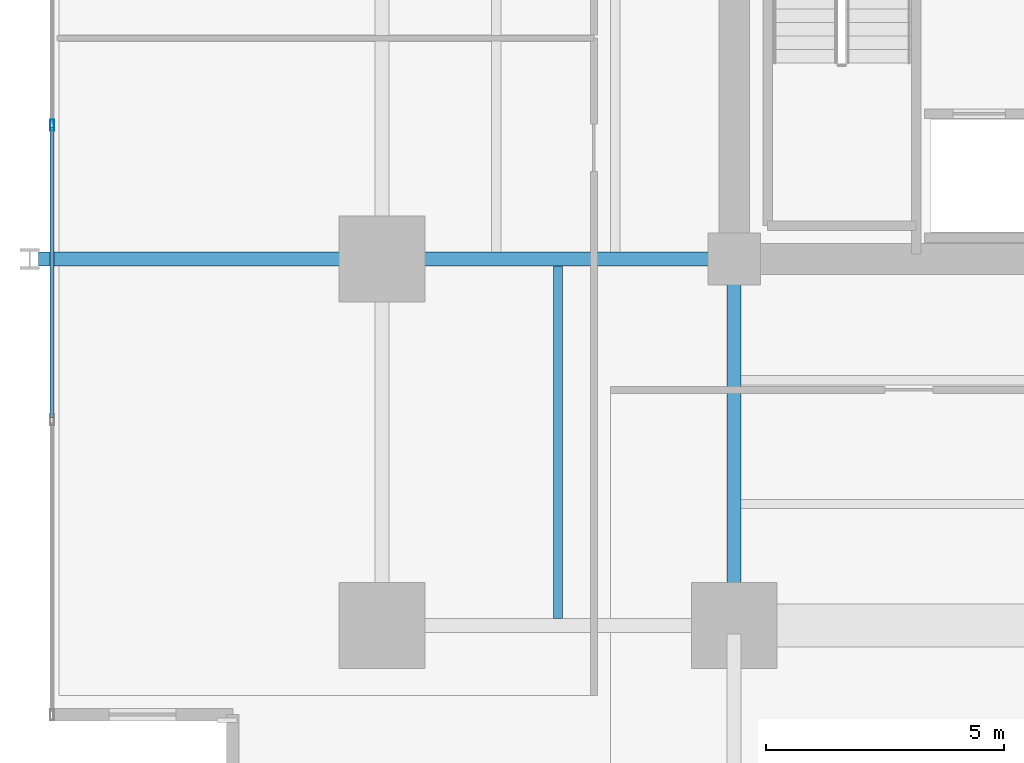
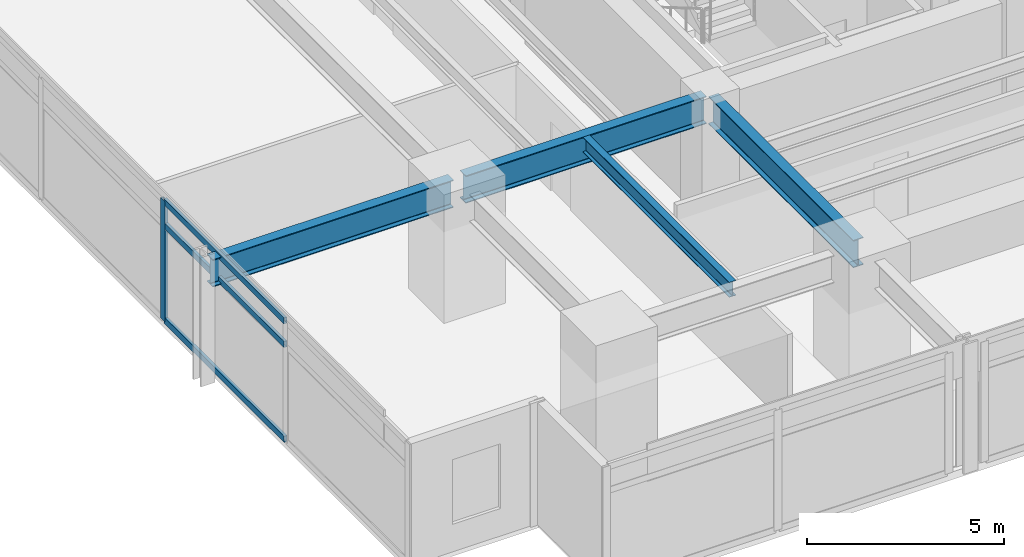
# One storey, part 3 of 22: 4 beams, 4 members, 1 element without a shape of its own.
"""IFC4 building model written with IfcOpenShell, lengths in metres."""

from ifc_helpers import new_model, si_unit, direction, frame, origin, origin_2d, place, context, subcontext, project, spatial, hollow_rectangle, i_section, extrude, material, material_profile, profile_set, type_object, element, aggregate, save


model = new_model("IFC4")

# Units and contexts
model_context = context("Model", 3, precision=1e-05, world=origin(), true_north=direction((0.0, 1.0)))
body_context = subcontext(model_context, "Body", "Model", "MODEL_VIEW")
ifc_project = project(units=[si_unit("LENGTHUNIT", "METRE"), si_unit("AREAUNIT", "SQUARE_METRE"), si_unit("VOLUMEUNIT", "CUBIC_METRE"), si_unit("PLANEANGLEUNIT", "RADIAN"), si_unit("MASSUNIT", "GRAM", prefix="KILO")], contexts=[model_context])

# Site, building, storey
site_placement = place(None, origin())
site = spatial("IfcSite", under=ifc_project, at=site_placement, CompositionType="ELEMENT")
building_placement = place(site_placement, origin())
building = spatial("IfcBuilding", under=site, at=building_placement, Name="Kovane Verandah Tower", CompositionType="ELEMENT")
storey_placement = place(building_placement, frame((0.0, 0.0, 43.60009765625)))
storey = spatial("IfcBuildingStorey", under=building, at=storey_placement, Name="L09", CompositionType="ELEMENT", Elevation=43.60009765625)

# Beams
ifc_material_1 = material(Name="Steel S355", Category="steel")
ifc_material_profile_1 = material_profile(ifc_material_1, i_section(OverallWidth=0.293701171875, OverallDepth=0.850830078125, WebThickness=0.01611328125, FlangeThickness=0.02685546875, FilletRadius=0.017822265625, at=origin_2d()), Name="UB838x292x226")
ifc_profile_set_1 = profile_set([ifc_material_profile_1], Name="Steel S355")
beam_type_1 = type_object("IfcBeamType", Name="BM-UB838x226", PredefinedType="BEAM", material=ifc_profile_set_1)
beam_1_placement = place(storey_placement, frame((28.820068359375, 18.5, 3.33447265625), z_axis=(-1.0, 0.0, 0.0), x_axis=(0.0, -1.0, 0.0)))
element("IfcBeam", 1, at=beam_1_placement, inside=storey, type_object=beam_type_1, Name="L09 Primary Tower Girder G-W1", PredefinedType="BEAM", context=body_context, shape_type="SweptSolid", body=[
    extrude(i_section(OverallWidth=0.293701171875, OverallDepth=0.850830078125, WebThickness=0.01611328125, FlangeThickness=0.02685546875, FilletRadius=0.017822265625, at=origin_2d()), origin(), (0.0, 0.0, 1.0), 7.0400390625),
])
beam_2_placement = place(storey_placement, frame((29.0, 18.320068359375, 3.33447265625), z_axis=(0.0, -1.0, 0.0), x_axis=(1.0, 0.0, 0.0)))
element("IfcBeam", 2, at=beam_2_placement, inside=storey, type_object=beam_type_1, Name="L09 Primary Tower Girder G-S1", PredefinedType="BEAM", context=body_context, shape_type="SweptSolid", body=[
    extrude(i_section(OverallWidth=0.293701171875, OverallDepth=0.850830078125, WebThickness=0.01611328125, FlangeThickness=0.02685546875, FilletRadius=0.017822265625, at=origin_2d()), origin(), (0.0, 0.0, 1.0), 7.340087890625),
])
beam_3_placement = place(storey_placement, frame((21.419921875, 18.5, 3.33447265625), z_axis=(-1.0, 0.0, 0.0), x_axis=(0.0, -1.0, 0.0)))
element("IfcBeam", 3, at=beam_3_placement, inside=storey, type_object=beam_type_1, Name="L09 Primary Tower Girder G-VW1", PredefinedType="BEAM", context=body_context, shape_type="SweptSolid", body=[
    extrude(i_section(OverallWidth=0.293701171875, OverallDepth=0.850830078125, WebThickness=0.01611328125, FlangeThickness=0.02685546875, FilletRadius=0.017822265625, at=origin_2d()), origin(), (0.0, 0.0, 1.0), 7.0400390625),
])

# Curtain wall, members
ifc_material_2 = material(Name="Champagne Anodised Aluminium Frame with Low-E Clear Laminated Glass", Category="aluminium")
curtain_wall_type = type_object("IfcCurtainWallType", Name="CW-SYS-02-LOW", PredefinedType="NOTDEFINED", material=ifc_material_2)
curtain_wall_placement = place(storey_placement, origin())
curtain_wall = element("IfcCurtainWall", 4, at=curtain_wall_placement, inside=storey, type_object=curtain_wall_type, Name="L09 W Unitised Curtain Wall", PredefinedType="NOTDEFINED")
ifc_material_3 = material(Name="Champagne Anodised Aluminium 6063-T6", Category="aluminium")
ifc_material_profile_2 = material_profile(ifc_material_3, hollow_rectangle(XDim=0.0849609375, YDim=0.22998046875, WallThickness=0.00390625, at=origin_2d()), Name="AL85x230x4")
ifc_profile_set_2 = profile_set([ifc_material_profile_2], Name="Champagne Anodised Aluminium 6063-T6")
member_type_1 = type_object("IfcMemberType", Name="CW-MUL-85x230", PredefinedType="MULLION", material=ifc_profile_set_2)
member_1_placement = place(storey_placement, frame((14.6669921875, 21.30908203125, 0.02001953125), z_axis=(0.0, 0.0, 1.0), x_axis=(-1.0, 0.0, 0.0)))
member_1 = element("IfcMember", 5, at=member_1_placement, type_object=member_type_1, Name="L09 W Unitised Curtain Wall Mullion 5", PredefinedType="MULLION", context=body_context, shape_type="SweptSolid", body=[
    extrude(hollow_rectangle(XDim=0.0849609375, YDim=0.22998046875, WallThickness=0.00390625, at=origin_2d()), origin(), (0.0, 0.0, 1.0), 3.719970703125),
])
ifc_material_profile_3 = material_profile(ifc_material_3, hollow_rectangle(XDim=0.0849609375, YDim=0.18994140625, WallThickness=0.00390625, at=origin_2d()), Name="AL85x190x4")
ifc_profile_set_3 = profile_set([ifc_material_profile_3], Name="Champagne Anodised Aluminium 6063-T6")
member_type_2 = type_object("IfcMemberType", Name="CW-TRN-85x190", PredefinedType="USERDEFINED", material=ifc_profile_set_3)
member_2_placement = place(storey_placement, frame((14.6669921875, 21.259033203125, 0.0498046875), z_axis=(0.0, -1.0, 0.0), x_axis=(1.0, 0.0, 0.0)))
member_2 = element("IfcMember", 6, at=member_2_placement, type_object=member_type_2, Name="L09 W Unitised Curtain Wall Transom TB Bay 5", ObjectType="TRANSOM", PredefinedType="USERDEFINED", context=body_context, shape_type="SweptSolid", body=[
    extrude(hollow_rectangle(XDim=0.0849609375, YDim=0.18994140625, WallThickness=0.00390625, at=origin_2d()), origin(), (0.0, 0.0, 1.0), 6.091064453125),
])
member_3_placement = place(storey_placement, frame((14.6669921875, 21.259033203125, 2.97998046875), z_axis=(0.0, -1.0, 0.0), x_axis=(1.0, 0.0, 0.0)))
member_3 = element("IfcMember", 7, at=member_3_placement, type_object=member_type_2, Name="L09 W Unitised Curtain Wall Transom TM Bay 5", ObjectType="TRANSOM", PredefinedType="USERDEFINED", context=body_context, shape_type="SweptSolid", body=[
    extrude(hollow_rectangle(XDim=0.0849609375, YDim=0.18994140625, WallThickness=0.00390625, at=origin_2d()), origin(), (0.0, 0.0, 1.0), 6.091064453125),
])
member_4_placement = place(storey_placement, frame((14.6669921875, 21.259033203125, 3.7099609375), z_axis=(0.0, -1.0, 0.0), x_axis=(1.0, 0.0, 0.0)))
member_4 = element("IfcMember", 8, at=member_4_placement, type_object=member_type_2, Name="L09 W Unitised Curtain Wall Transom TT Bay 5", ObjectType="TRANSOM", PredefinedType="USERDEFINED", context=body_context, shape_type="SweptSolid", body=[
    extrude(hollow_rectangle(XDim=0.0849609375, YDim=0.18994140625, WallThickness=0.00390625, at=origin_2d()), origin(), (0.0, 0.0, 1.0), 6.091064453125),
])
aggregate(curtain_wall, [member_1, member_2, member_3, member_4])

# Beam
ifc_material_profile_4 = material_profile(ifc_material_1, i_section(OverallWidth=0.19287109375, OverallDepth=0.46728515625, WebThickness=0.011474609375, FlangeThickness=0.01953125, FilletRadius=0.01025390625, at=origin_2d()), Name="UB457x191x98")
ifc_profile_set_4 = profile_set([ifc_material_profile_4], Name="Steel S355")
beam_type_2 = type_object("IfcBeamType", Name="JST-UB457x98", PredefinedType="JOIST", material=ifc_profile_set_4)
beam_4_placement = place(storey_placement, frame((25.300048828125, 10.94482421875, 3.5263671875), z_axis=(0.0, 1.0, 0.0), x_axis=(-1.0, 0.0, 0.0)))
element("IfcBeam", 9, at=beam_4_placement, inside=storey, type_object=beam_type_2, Name="L09 Secondary Composite Joist J-SW1", PredefinedType="JOIST", context=body_context, shape_type="SweptSolid", body=[
    extrude(i_section(OverallWidth=0.19287109375, OverallDepth=0.46728515625, WebThickness=0.011474609375, FlangeThickness=0.01953125, FilletRadius=0.01025390625, at=origin_2d()), origin(), (0.0, 0.0, 1.0), 7.41015625),
])

save(model, "model.ifc")
